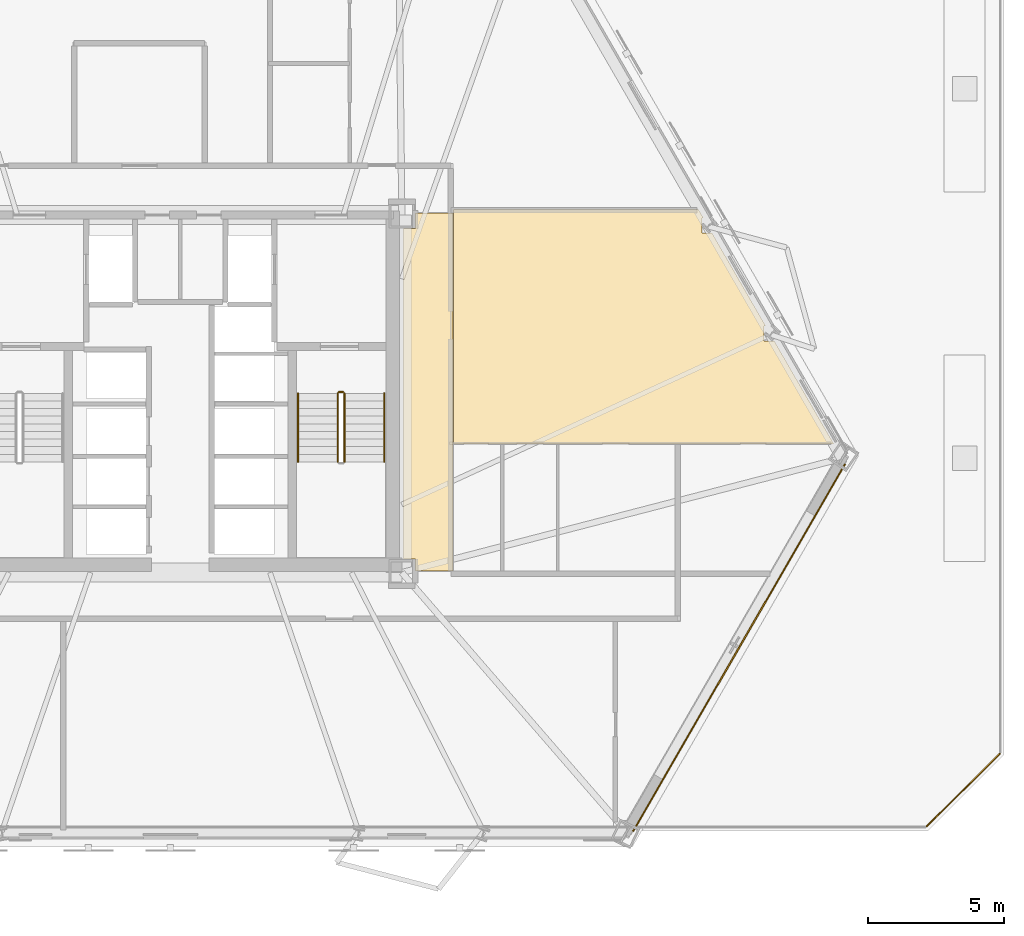
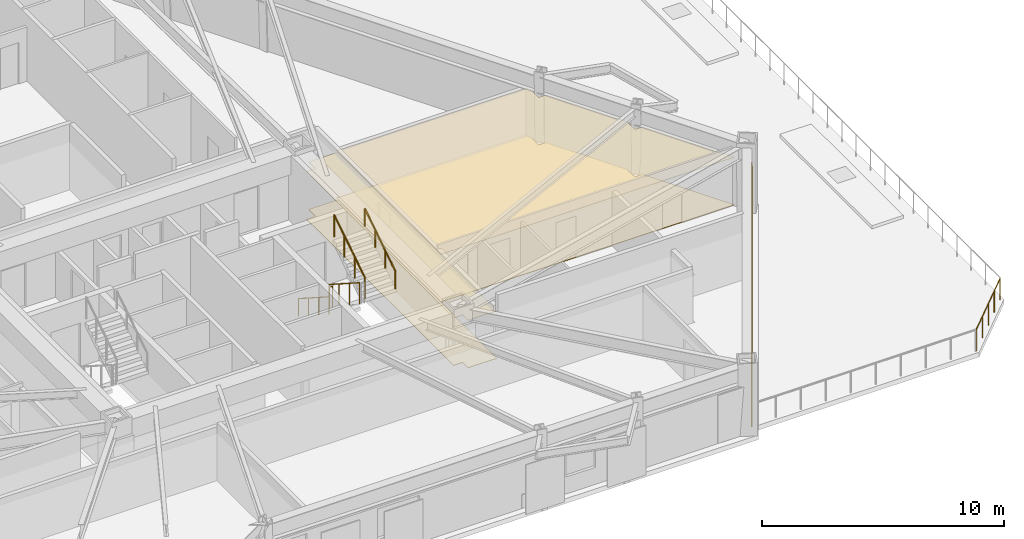
# One storey, part 12 of 14: 6 railings, 5 coverings.
"""IFC4 building model written with IfcOpenShell, lengths in metres."""

from ifc_helpers import new_model, si_unit, direction, frame, origin, origin_2d, place, context, subcontext, project, spatial, polyline, rectangle, circle, outline, extrude, material, layer, layer_set, type_object, element, save


model = new_model("IFC4")

# Units and contexts
model_context = context("Model", 3, precision=1e-05, world=origin(), true_north=direction((0.0, 1.0)))
body_context = subcontext(model_context, "Body", "Model", "MODEL_VIEW")
ifc_project = project(units=[si_unit("LENGTHUNIT", "METRE"), si_unit("AREAUNIT", "SQUARE_METRE"), si_unit("VOLUMEUNIT", "CUBIC_METRE"), si_unit("PLANEANGLEUNIT", "RADIAN"), si_unit("MASSUNIT", "GRAM", prefix="KILO")], contexts=[model_context])

# Site, building, storey
site_placement = place(None, origin())
site = spatial("IfcSite", under=ifc_project, at=site_placement, CompositionType="ELEMENT")
building_placement = place(site_placement, origin())
building = spatial("IfcBuilding", under=site, at=building_placement, Name="Oramaril Tower", CompositionType="ELEMENT")
storey_placement = place(building_placement, frame((0.0, 0.0, 27.300048828125)))
storey = spatial("IfcBuildingStorey", under=building, at=storey_placement, Name="L06", CompositionType="ELEMENT", Elevation=27.300048828125)

# Coverings
ifc_material_1 = material(Name="Mineral Fibre Acoustic Ceiling")
ifc_layer_1 = layer(ifc_material_1, 0.02001953125)
ifc_layer_set_1 = layer_set([ifc_layer_1], Name="CVT-CEIL")
covering_type_1 = type_object("IfcCoveringType", Name="CVT-CEIL", PredefinedType="CEILING", material=ifc_layer_set_1)
covering_1_placement = place(storey_placement, frame((0.0, 0.0, 2.39990234375)))
element("IfcCovering", 1, at=covering_1_placement, inside=storey, type_object=covering_type_1, Name="L06 Acoustic Suspended Ceiling 4", PredefinedType="CEILING", context=body_context, shape_type="SweptSolid", body=[
    extrude(outline(polyline([(47.530029296875, 11.050048828125), (46.14501953125, 11.050048828125), (46.14501953125, 11.4951171875), (45.719970703125, 11.4951171875), (45.719970703125, 23.655029296875), (46.14501953125, 23.655029296875), (46.14501953125, 24.219970703125), (47.530029296875, 24.219970703125), (47.530029296875, 11.050048828125)])), origin(), (0.0, 0.0, 1.0), 0.02001953125),
])
covering_2_placement = place(storey_placement, frame((0.0, 0.0, 2.39990234375)))
element("IfcCovering", 2, at=covering_2_placement, inside=storey, type_object=covering_type_1, Name="L06 Acoustic Suspended Ceiling 16", PredefinedType="CEILING", context=body_context, shape_type="SweptSolid", body=[
    extrude(outline(polyline([(56.740234375, 24.0390625), (56.68310546875, 24.0390625), (56.68310546875, 23.494873046875), (57.054443359375, 23.494873046875), (59.031005859375, 20.0712890625), (58.98095703125, 20.0712890625), (58.98095703125, 19.514892578125), (59.35205078125, 19.514892578125), (61.54248046875, 15.72119140625), (47.550048828125, 15.72119140625), (47.550048828125, 24.219970703125), (47.5498046875, 24.221923828125), (47.549560546875, 24.223876953125), (47.549072265625, 24.225830078125), (47.548583984375, 24.227783203125), (47.547607421875, 24.2294921875), (47.54736328125, 24.22998046875), (47.547607421875, 24.230712890625), (47.548583984375, 24.232421875), (47.549072265625, 24.234130859375), (47.549560546875, 24.236083984375), (47.5498046875, 24.238037109375), (47.550048828125, 24.239990234375), (47.550048828125, 24.362060546875), (56.5537109375, 24.362060546875), (56.740234375, 24.0390625)])), origin(), (0.0, 0.0, 1.0), 0.02001953125),
])
ifc_material_2 = material(Name="Warm Cream Limestone", Category="masonry")
ifc_layer_2 = layer(ifc_material_2, 0.050048828125)
ifc_layer_set_2 = layer_set([ifc_layer_2], Name="CVT-CLD")
covering_type_2 = type_object("IfcCoveringType", Name="CVT-CLD", PredefinedType="CLADDING", material=ifc_layer_set_2)
covering_3_placement = place(storey_placement, frame((58.05322265625, 8.2333984375, 0.0400390625), z_axis=(0.0, 0.0, 1.0), x_axis=(0.499996976998, 0.866027149108, 0.0)))
element("IfcCovering", 3, at=covering_3_placement, inside=storey, type_object=covering_type_2, Name="L06 Warm Cream Limestone Cladding", PredefinedType="CLADDING", context=body_context, shape_type="SweptSolid", body=[
    extrude(rectangle(XDim=15.596435546875, YDim=0.050048828125, at=origin_2d()), origin(), (0.0, 0.0, 1.0), 2.4140625),
])
ifc_material_3 = material(Name="Honed Quartzite Stone Flooring", Category="masonry")
ifc_layer_3 = layer(ifc_material_3, 0.02490234375)
ifc_layer_set_3 = layer_set([ifc_layer_3], Name="CVT-FLR")
covering_type_3 = type_object("IfcCoveringType", Name="CVT-FLR", PredefinedType="FLOORING", material=ifc_layer_set_3)
covering_4_placement = place(storey_placement, origin())
element("IfcCovering", 4, at=covering_4_placement, inside=storey, type_object=covering_type_3, Name="L06 Honed Stone Floor Finish 4", PredefinedType="FLOORING", context=body_context, shape_type="SweptSolid", body=[
    extrude(outline(polyline([(47.530029296875, 11.050048828125), (46.14501953125, 11.050048828125), (46.14501953125, 11.4951171875), (45.719970703125, 11.4951171875), (45.719970703125, 23.655029296875), (46.14501953125, 23.655029296875), (46.14501953125, 24.219970703125), (47.530029296875, 24.219970703125), (47.530029296875, 11.050048828125)])), origin(), (0.0, 0.0, 1.0), 0.02490234375),
])
covering_5_placement = place(storey_placement, origin())
element("IfcCovering", 5, at=covering_5_placement, inside=storey, type_object=covering_type_3, Name="L06 Honed Stone Floor Finish 16", PredefinedType="FLOORING", context=body_context, shape_type="SweptSolid", body=[
    extrude(outline(polyline([(56.740234375, 24.0390625), (56.68310546875, 24.0390625), (56.68310546875, 23.494873046875), (57.054443359375, 23.494873046875), (59.031005859375, 20.0712890625), (58.98095703125, 20.0712890625), (58.98095703125, 19.514892578125), (59.35205078125, 19.514892578125), (61.54248046875, 15.72119140625), (47.550048828125, 15.72119140625), (47.550048828125, 24.219970703125), (47.5498046875, 24.221923828125), (47.549560546875, 24.223876953125), (47.549072265625, 24.225830078125), (47.548583984375, 24.227783203125), (47.547607421875, 24.2294921875), (47.54736328125, 24.22998046875), (47.547607421875, 24.230712890625), (47.548583984375, 24.232421875), (47.549072265625, 24.234130859375), (47.549560546875, 24.236083984375), (47.5498046875, 24.238037109375), (47.550048828125, 24.239990234375), (47.550048828125, 24.362060546875), (56.5537109375, 24.362060546875), (56.740234375, 24.0390625)])), origin(), (0.0, 0.0, 1.0), 0.02490234375),
])

# Railings
ifc_material_4 = material(Name="Stainless Steel 316L", Category="steel")
railing_type_1 = type_object("IfcRailingType", Name="RLT-GRD", PredefinedType="GUARDRAIL", material=ifc_material_4)
railing_1_placement = place(storey_placement, frame((64.963134765625, 1.6611328125, 0.0)))
element("IfcRailing", 6, at=railing_1_placement, inside=storey, type_object=railing_type_1, Name="L06 Podium Terrace Guardrail 02", PredefinedType="GUARDRAIL", context=body_context, shape_type="SweptSolid", body=[
    extrude(circle(Radius=0.02392578125, at=origin_2d()), frame((0.0, 0.0, 1.076171875), z_axis=(0.707106781187, 0.707106781187, 0.0), x_axis=(-0.707106781187, 0.707106781187, 0.0)), (0.0, 0.0, 1.0), 3.7841796875),
    extrude(circle(Radius=0.02099609375, at=origin_2d()), origin(), (0.0, 0.0, 1.0), 1.052001953125),
    extrude(circle(Radius=0.02099609375, at=origin_2d()), frame((0.6689453125, 0.6689453125, 0.0)), (0.0, 0.0, 1.0), 1.052001953125),
    extrude(circle(Radius=0.02099609375, at=origin_2d()), frame((1.337890625, 1.337890625, 0.0)), (0.0, 0.0, 1.0), 1.052001953125),
    extrude(circle(Radius=0.02099609375, at=origin_2d()), frame((2.0068359375, 2.0068359375, 0.0)), (0.0, 0.0, 1.0), 1.052001953125),
    extrude(circle(Radius=0.02099609375, at=origin_2d()), frame((2.67578125, 2.67578125, 0.0)), (0.0, 0.0, 1.0), 1.052001953125),
])
railing_2_placement = place(storey_placement, frame((43.2900390625, 17.590087890625, 0.179931640625)))
element("IfcRailing", 7, at=railing_2_placement, inside=storey, type_object=railing_type_1, Name="L06 ST-2 stair guard 1", PredefinedType="GUARDRAIL", context=body_context, shape_type="SweptSolid", body=[
    extrude(circle(Radius=0.02392578125, at=origin_2d()), frame((0.0, 0.0, 1.076171875), z_axis=(0.0, -0.841162588446, 0.540782303519), x_axis=(1.0, 0.0, 0.0)), (0.0, 0.0, 1.0), 2.995849609375),
    extrude(circle(Radius=0.02099609375, at=origin_2d()), origin(), (0.0, 0.0, 1.0), 1.052001953125),
    extrude(circle(Radius=0.02099609375, at=origin_2d()), frame((0.0, -0.840087890625, 0.5400390625)), (0.0, 0.0, 1.0), 1.052001953125),
    extrude(circle(Radius=0.02099609375, at=origin_2d()), frame((0.0, -1.679931640625, 1.080078125)), (0.0, 0.0, 1.0), 1.052001953125),
    extrude(circle(Radius=0.02099609375, at=origin_2d()), frame((0.0, -2.52001953125, 1.6201171875)), (0.0, 0.0, 1.0), 1.052001953125),
])
railing_3_placement = place(storey_placement, frame((43.5400390625, 15.070068359375, 1.97998046875)))
element("IfcRailing", 8, at=railing_3_placement, inside=storey, type_object=railing_type_1, Name="L06 ST-2 stair guard 3", PredefinedType="GUARDRAIL", context=body_context, shape_type="SweptSolid", body=[
    extrude(circle(Radius=0.02392578125, at=origin_2d()), frame((0.0, 0.0, 1.076171875), z_axis=(0.0, 0.841199657755, 0.540724639528), x_axis=(-1.0, 0.0, 0.0)), (0.0, 0.0, 1.0), 2.995849609375),
    extrude(circle(Radius=0.02099609375, at=origin_2d()), origin(), (0.0, 0.0, 1.0), 1.052001953125),
    extrude(circle(Radius=0.02099609375, at=origin_2d()), frame((0.0, 0.840087890625, 0.5400390625)), (0.0, 0.0, 1.0), 1.052001953125),
    extrude(circle(Radius=0.02099609375, at=origin_2d()), frame((0.0, 1.679931640625, 1.079833984375)), (0.0, 0.0, 1.0), 1.052001953125),
    extrude(circle(Radius=0.02099609375, at=origin_2d()), frame((0.0, 2.52001953125, 1.619873046875)), (0.0, 0.0, 1.0), 1.052001953125),
])
railing_4_placement = place(storey_placement, frame((43.340087890625, 17.639892578125, 0.0)))
element("IfcRailing", 9, at=railing_4_placement, inside=storey, type_object=railing_type_1, Name="L06 ST-2 stair guard 4", PredefinedType="GUARDRAIL", context=body_context, shape_type="SweptSolid", body=[
    extrude(circle(Radius=0.02392578125, at=origin_2d()), frame((0.0, 0.0, 1.076171875), z_axis=(1.0, 0.0, 0.0), x_axis=(0.0, 1.0, 0.0)), (0.0, 0.0, 1.0), 0.14990234375),
    extrude(circle(Radius=0.02099609375, at=origin_2d()), origin(), (0.0, 0.0, 1.0), 1.052001953125),
    extrude(circle(Radius=0.02099609375, at=origin_2d()), frame((0.14990234375, 0.0, 0.0)), (0.0, 0.0, 1.0), 1.052001953125),
])
ifc_material_5 = material(Name="Stainless Steel 316L", Category="steel")
railing_type_2 = type_object("IfcRailingType", Name="RLT-HND", PredefinedType="HANDRAIL", material=ifc_material_5)
railing_5_placement = place(storey_placement, frame((41.830078125, 17.590087890625, 0.179931640625)))
element("IfcRailing", 10, at=railing_5_placement, inside=storey, type_object=railing_type_2, Name="L06 ST-2 stair handrail 1", PredefinedType="HANDRAIL", context=body_context, shape_type="SweptSolid", body=[
    extrude(circle(Radius=0.02392578125, at=origin_2d()), frame((0.0, 0.0, 0.8759765625), z_axis=(0.0, -0.841162588446, 0.540782303519), x_axis=(1.0, 0.0, 0.0)), (0.0, 0.0, 1.0), 2.995849609375),
    extrude(circle(Radius=0.02099609375, at=origin_2d()), origin(), (0.0, 0.0, 1.0), 0.851806640625),
    extrude(circle(Radius=0.02099609375, at=origin_2d()), frame((0.0, -0.840087890625, 0.5400390625)), (0.0, 0.0, 1.0), 0.851806640625),
    extrude(circle(Radius=0.02099609375, at=origin_2d()), frame((0.0, -1.679931640625, 1.080078125)), (0.0, 0.0, 1.0), 0.851806640625),
    extrude(circle(Radius=0.02099609375, at=origin_2d()), frame((0.0, -2.52001953125, 1.6201171875)), (0.0, 0.0, 1.0), 0.851806640625),
])
railing_6_placement = place(storey_placement, frame((45.0, 15.070068359375, 1.97998046875)))
element("IfcRailing", 11, at=railing_6_placement, inside=storey, type_object=railing_type_2, Name="L06 ST-2 stair handrail 2", PredefinedType="HANDRAIL", context=body_context, shape_type="SweptSolid", body=[
    extrude(circle(Radius=0.02392578125, at=origin_2d()), frame((0.0, 0.0, 0.8759765625), z_axis=(0.0, 0.841199657755, 0.540724639528), x_axis=(-1.0, 0.0, 0.0)), (0.0, 0.0, 1.0), 2.995849609375),
    extrude(circle(Radius=0.02099609375, at=origin_2d()), origin(), (0.0, 0.0, 1.0), 0.851806640625),
    extrude(circle(Radius=0.02099609375, at=origin_2d()), frame((0.0, 0.840087890625, 0.5400390625)), (0.0, 0.0, 1.0), 0.851806640625),
    extrude(circle(Radius=0.02099609375, at=origin_2d()), frame((0.0, 1.679931640625, 1.079833984375)), (0.0, 0.0, 1.0), 0.851806640625),
    extrude(circle(Radius=0.02099609375, at=origin_2d()), frame((0.0, 2.52001953125, 1.619873046875)), (0.0, 0.0, 1.0), 0.851806640625),
])

save(model, "model.ifc")
